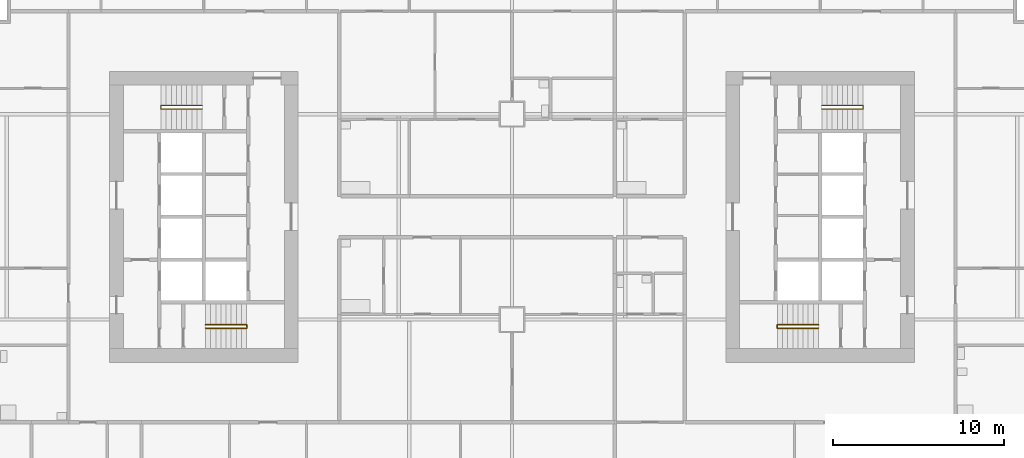
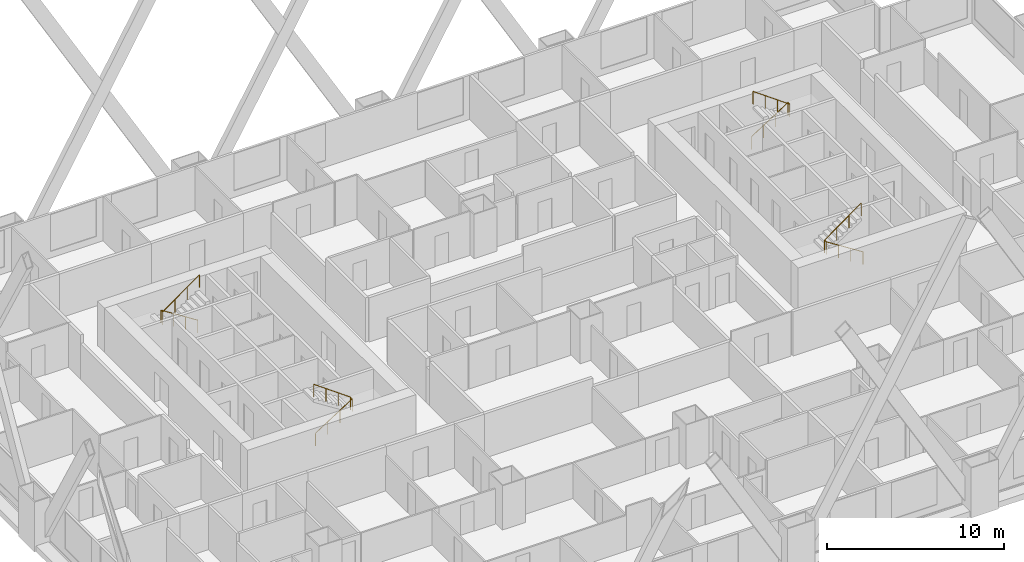
# One storey, part 12 of 13: 4 railings.
"""IFC4 building model written with IfcOpenShell, lengths in metres."""

import ifcopenshell
import ifcopenshell.guid

model = None  # the IFC model being written
_history = None  # IfcOwnerHistory: only IFC2X3 demands one
_inside = {}  # id of a spatial element -> (the spatial element, [elements in it])
_under = {}  # id of a project, library or spatial element -> (it, [spatial elements below it])
_declared = {}  # id of a project -> (the project, [libraries it declares])
_typed = {}  # id of a type object -> (the type object, [elements of that type])
_made_of = {}  # id of a material, layer set ... -> (it, [elements and type objects made of it])


def new_model(schema):
    """Start an empty IFC model of exactly this schema.

    Asked for "IFC4X3", IfcOpenShell would pick the latest addendum, in which some entities
    have other attributes; the version numbers below select the first issue.
    IFC2X3 requires an IfcOwnerHistory on every rooted entity: one is made here for all.
    """
    global model, _history
    if schema == "IFC4X3":
        model = ifcopenshell.file(schema_version=(4, 3, 0, 0))
    else:
        model = ifcopenshell.file(schema=schema)
    _inside.clear()
    _under.clear()
    _declared.clear()
    _typed.clear()
    _made_of.clear()
    _history = None
    if model.schema == "IFC2X3":
        org = make("IfcOrganization", Name="unknown")
        user = make(
            "IfcPersonAndOrganization",
            ThePerson=make("IfcPerson", FamilyName="unknown"),
            TheOrganization=org,
        )
        app = make(
            "IfcApplication",
            ApplicationDeveloper=org,
            Version="unknown",
            ApplicationFullName="unknown",
            ApplicationIdentifier="unknown",
        )
        _history = make(
            "IfcOwnerHistory",
            OwningUser=user,
            OwningApplication=app,
            ChangeAction="ADDED",
            CreationDate=0,
        )
    return model


def make(cls, **values):
    """One entity of the class cls with the attributes given. An attribute that is None is left unset."""
    return model.create_entity(
        cls, **{name: value for name, value in values.items() if value is not None}
    )


def rooted(cls, **values):
    """An entity with a GlobalId (a new one), such as an element, a storey or a relation."""
    return make(cls, GlobalId=ifcopenshell.guid.new(), OwnerHistory=_history, **values)


def si_unit(unit_type, name, prefix=None):
    """IfcSIUnit, for example si_unit("LENGTHUNIT", "METRE", prefix="MILLI")."""
    return make("IfcSIUnit", UnitType=unit_type, Prefix=prefix, Name=name)


def assignment(units):
    """IfcUnitAssignment: the units of a project."""
    return None if units is None else make("IfcUnitAssignment", Units=units)


def point(xyz):
    """IfcCartesianPoint."""
    return None if xyz is None else make("IfcCartesianPoint", Coordinates=xyz)


def direction(xyz):
    """IfcDirection."""
    return None if xyz is None else make("IfcDirection", DirectionRatios=xyz)


def frame(location, z_axis=None, x_axis=None):
    """IfcAxis2Placement3D, a coordinate frame: its origin and axes. An axis left out is left unset."""
    return make(
        "IfcAxis2Placement3D",
        Location=point(location),
        Axis=direction(z_axis),
        RefDirection=direction(x_axis),
    )


def frame_2d(location, x_axis=None):
    """IfcAxis2Placement2D, a coordinate frame in the plane: its origin and x axis."""
    return make(
        "IfcAxis2Placement2D", Location=point(location), RefDirection=direction(x_axis)
    )


def origin():
    """The frame at (0, 0, 0) with its axes left unset."""
    return frame((0.0, 0.0, 0.0))


def origin_2d():
    """The frame at (0, 0) in the plane with its x axis left unset."""
    return frame_2d((0.0, 0.0))


def place(relative_to, where):
    """IfcLocalPlacement: puts the frame where relative to a parent placement (None: the world)."""
    return make(
        "IfcLocalPlacement", PlacementRelTo=relative_to, RelativePlacement=where
    )


def context(
    kind, dimensions, precision=None, world=None, true_north=None, identifier=None
):
    """IfcGeometricRepresentationContext, for example the 3D "Model" context."""
    return make(
        "IfcGeometricRepresentationContext",
        ContextIdentifier=identifier,
        ContextType=kind,
        CoordinateSpaceDimension=dimensions,
        Precision=precision,
        WorldCoordinateSystem=world,
        TrueNorth=true_north,
    )


def subcontext(parent, identifier, kind, view, scale=None):
    """IfcGeometricRepresentationSubContext, for example "Body" below "Model"."""
    return make(
        "IfcGeometricRepresentationSubContext",
        ContextIdentifier=identifier,
        ContextType=kind,
        ParentContext=parent,
        TargetScale=scale,
        TargetView=view,
    )


def project(units=None, contexts=None):
    """IfcProject with its units and contexts."""
    return rooted(
        "IfcProject",
        Name="project",
        RepresentationContexts=contexts,
        UnitsInContext=assignment(units),
    )


def spatial(cls, under=None, at=None, **own):
    """A site, building, storey or space (cls), placed at a placement, below another one or the project."""
    s = rooted(cls, ObjectPlacement=at, **own)
    if under is not None:
        _under.setdefault(under.id(), (under, []))[1].append(s)
    return s


def profile(cls, at=None, kind="AREA", **sizes):
    """A parametric profile (cls). Its sizes go by their IFC names, for example OverallWidth=200.0."""
    return make(cls, ProfileType=kind, Position=at, **sizes)


def circle(**sizes):
    """IfcCircleProfileDef."""
    return profile("IfcCircleProfileDef", **sizes)


def extrude(swept, where, along, depth):
    """IfcExtrudedAreaSolid: the profile swept, set in the frame where, extruded along a direction by depth."""
    return make(
        "IfcExtrudedAreaSolid",
        SweptArea=swept,
        Position=where,
        ExtrudedDirection=direction(along),
        Depth=depth,
    )


def shape(context_of_items, identifier, shape_type, items):
    """IfcShapeRepresentation: the items that make up one representation, for example the "Body"."""
    return make(
        "IfcShapeRepresentation",
        ContextOfItems=context_of_items,
        RepresentationIdentifier=identifier,
        RepresentationType=shape_type,
        Items=items,
    )


def material(Name=None, Category=None):
    """IfcMaterial."""
    return make("IfcMaterial", Name=Name, Category=Category)


def made_of(thing, what):
    """Note that an element or type object is made of a material, layer set ...; save() writes the relation."""
    if what is not None:
        _made_of.setdefault(what.id(), (what, []))[1].append(thing)
    return thing


def type_object(cls, material=None, **own):
    """A type object (cls), such as IfcWallType, which elements share."""
    return made_of(rooted(cls, **own), material)


def element(
    cls,
    number,
    at=None,
    inside=None,
    cuts=None,
    type_object=None,
    material=None,
    context=None,
    identifier="Body",
    shape_type=None,
    held_by="IfcProductDefinitionShape",
    body=None,
    shapes=None,
    **own,
):
    """One element of the class cls, such as IfcWall. Its Tag is "e" and its number.

    at: its placement. inside: the storey or other place that contains it. cuts: it is an
    opening in that element (IfcRelVoidsElement). A single representation is given by context,
    identifier, shape_type and body (its items); several are given by shapes. held_by: the class
    of the entity that holds the representations. save() writes the other relations.
    """
    e = rooted(cls, Tag="e%d" % number, ObjectPlacement=at, **own)
    if body is not None:
        shapes = [shape(context, identifier, shape_type, body)]
    if shapes is not None:
        e.Representation = make(held_by, Representations=shapes)
    if inside is not None:
        _inside.setdefault(inside.id(), (inside, []))[1].append(e)
    if cuts is not None:
        rooted(
            "IfcRelVoidsElement", RelatingBuildingElement=cuts, RelatedOpeningElement=e
        )
    if type_object is not None:
        _typed.setdefault(type_object.id(), (type_object, []))[1].append(e)
    return made_of(e, material)


def aggregate(whole, parts):
    """IfcRelAggregates: a whole, such as a stair, and the parts it consists of."""
    return rooted("IfcRelAggregates", RelatingObject=whole, RelatedObjects=parts)


def save(model, path):
    """Write the relations noted so far, then the file.

    IfcRelAggregates (storeys below a building ...), IfcRelContainedInSpatialStructure (elements
    in a storey), IfcRelDefinesByType, IfcRelAssociatesMaterial and IfcRelDeclares: one each for
    every whole, place, type object, material and project.
    """
    for whole, parts in _under.values():
        aggregate(whole, parts)
    for where, things in _inside.values():
        rooted(
            "IfcRelContainedInSpatialStructure",
            RelatedElements=things,
            RelatingStructure=where,
        )
    for kind, things in _typed.values():
        rooted("IfcRelDefinesByType", RelatedObjects=things, RelatingType=kind)
    for what, things in _made_of.values():
        rooted("IfcRelAssociatesMaterial", RelatedObjects=things, RelatingMaterial=what)
    for by, libraries in _declared.values():
        rooted("IfcRelDeclares", RelatingContext=by, RelatedDefinitions=libraries)
    model.write(path)


model = new_model("IFC4")

# Units and contexts
model_context = context("Model", 3, precision=1e-05, world=origin(), true_north=direction((0.0, 1.0)))
body_context = subcontext(model_context, "Body", "Model", "MODEL_VIEW")
ifc_project = project(units=[si_unit("LENGTHUNIT", "METRE"), si_unit("AREAUNIT", "SQUARE_METRE"), si_unit("VOLUMEUNIT", "CUBIC_METRE"), si_unit("PLANEANGLEUNIT", "RADIAN"), si_unit("MASSUNIT", "GRAM", prefix="KILO")], contexts=[model_context])

# Site, building, storey
site_placement = place(None, origin())
site = spatial("IfcSite", under=ifc_project, at=site_placement, CompositionType="ELEMENT")
building_placement = place(site_placement, origin())
building = spatial("IfcBuilding", under=site, at=building_placement, Name="Kitamizu Gate Tower and Museum", CompositionType="ELEMENT")
storey_placement = place(building_placement, frame((0.0, 0.0, 50.699951171875)))
storey = spatial("IfcBuildingStorey", under=building, at=storey_placement, Name="L11", CompositionType="ELEMENT", Elevation=50.699951171875)

# Railings
ifc_material = material(Name="Stainless steel SUS304", Category="steel")
railing_type = type_object("IfcRailingType", Name="Stair handrail 900", PredefinedType="HANDRAIL", material=ifc_material)
railing_1_placement = place(storey_placement, frame((18.10009765625, 23.5, 0.191650390625)))
element("IfcRailing", 1, at=railing_1_placement, inside=storey, type_object=railing_type, Name="Stair handrail ST1", PredefinedType="HANDRAIL", context=body_context, shape_type="SweptSolid", body=[
    extrude(circle(Radius=0.02392578125, at=origin_2d()), frame((0.0, 0.0, 0.8759765625), z_axis=(0.842668169335, 0.0, 0.538433242278), x_axis=(0.0, 1.0, 0.0)), (0.0, 0.0, 1.0), 2.847900390625),
    extrude(circle(Radius=0.02392578125, at=origin_2d()), frame((2.39990234375, 0.0, 2.4091796875), z_axis=(0.0, 1.0, 0.0), x_axis=(-1.0, 0.0, 0.0)), (0.0, 0.0, 1.0), 0.199951171875),
    extrude(circle(Radius=0.02392578125, at=origin_2d()), frame((2.39990234375, 0.199951171875, 2.4091796875), z_axis=(-0.81202760531, 0.0, 0.583619026604), x_axis=(0.0, -1.0, 0.0)), (0.0, 0.0, 1.0), 2.955322265625),
    extrude(circle(Radius=0.02099609375, at=origin_2d()), origin(), (0.0, 0.0, 1.0), 0.851806640625),
    extrude(circle(Radius=0.02099609375, at=origin_2d()), frame((0.800048828125, 0.0, 0.51123046875)), (0.0, 0.0, 1.0), 0.851806640625),
    extrude(circle(Radius=0.02099609375, at=origin_2d()), frame((1.599853515625, 0.0, 1.022216796875)), (0.0, 0.0, 1.0), 0.851806640625),
    extrude(circle(Radius=0.02099609375, at=origin_2d()), frame((2.39990234375, 0.0, 1.533447265625)), (0.0, 0.0, 1.0), 0.851806640625),
    extrude(circle(Radius=0.02099609375, at=origin_2d()), frame((2.39990234375, 0.199951171875, 1.533447265625)), (0.0, 0.0, 1.0), 0.851806640625),
    extrude(circle(Radius=0.02099609375, at=origin_2d()), frame((1.599853515625, 0.199951171875, 2.1083984375)), (0.0, 0.0, 1.0), 0.851806640625),
    extrude(circle(Radius=0.02099609375, at=origin_2d()), frame((0.800048828125, 0.199951171875, 2.683349609375)), (0.0, 0.0, 1.0), 0.851806640625),
    extrude(circle(Radius=0.02099609375, at=origin_2d()), frame((0.0, 0.199951171875, 3.25830078125)), (0.0, 0.0, 1.0), 0.851806640625),
])
railing_2_placement = place(storey_placement, frame((17.89990234375, 36.5, 0.191650390625)))
element("IfcRailing", 2, at=railing_2_placement, inside=storey, type_object=railing_type, Name="Stair handrail ST2", PredefinedType="HANDRAIL", context=body_context, shape_type="SweptSolid", body=[
    extrude(circle(Radius=0.02392578125, at=origin_2d()), frame((0.0, 0.0, 0.8759765625), z_axis=(-0.842668169335, 0.0, 0.538433242278), x_axis=(0.0, -1.0, 0.0)), (0.0, 0.0, 1.0), 2.847900390625),
    extrude(circle(Radius=0.02392578125, at=origin_2d()), frame((-2.39990234375, 0.0, 2.4091796875), z_axis=(0.0, -1.0, 0.0), x_axis=(1.0, 0.0, 0.0)), (0.0, 0.0, 1.0), 0.199951171875),
    extrude(circle(Radius=0.02392578125, at=origin_2d()), frame((-2.39990234375, -0.199951171875, 2.4091796875), z_axis=(0.81202760531, 0.0, 0.583619026604), x_axis=(0.0, 1.0, 0.0)), (0.0, 0.0, 1.0), 2.955322265625),
    extrude(circle(Radius=0.02099609375, at=origin_2d()), origin(), (0.0, 0.0, 1.0), 0.851806640625),
    extrude(circle(Radius=0.02099609375, at=origin_2d()), frame((-0.800048828125, 0.0, 0.51123046875)), (0.0, 0.0, 1.0), 0.851806640625),
    extrude(circle(Radius=0.02099609375, at=origin_2d()), frame((-1.599853515625, 0.0, 1.022216796875)), (0.0, 0.0, 1.0), 0.851806640625),
    extrude(circle(Radius=0.02099609375, at=origin_2d()), frame((-2.39990234375, 0.0, 1.533447265625)), (0.0, 0.0, 1.0), 0.851806640625),
    extrude(circle(Radius=0.02099609375, at=origin_2d()), frame((-2.39990234375, -0.199951171875, 1.533447265625)), (0.0, 0.0, 1.0), 0.851806640625),
    extrude(circle(Radius=0.02099609375, at=origin_2d()), frame((-1.599853515625, -0.199951171875, 2.1083984375)), (0.0, 0.0, 1.0), 0.851806640625),
    extrude(circle(Radius=0.02099609375, at=origin_2d()), frame((-0.800048828125, -0.199951171875, 2.683349609375)), (0.0, 0.0, 1.0), 0.851806640625),
    extrude(circle(Radius=0.02099609375, at=origin_2d()), frame((0.0, -0.199951171875, 3.25830078125)), (0.0, 0.0, 1.0), 0.851806640625),
])
railing_3_placement = place(storey_placement, frame((53.89990234375, 23.5, 0.191650390625)))
element("IfcRailing", 3, at=railing_3_placement, inside=storey, type_object=railing_type, Name="Stair handrail ST3", PredefinedType="HANDRAIL", context=body_context, shape_type="SweptSolid", body=[
    extrude(circle(Radius=0.02392578125, at=origin_2d()), frame((0.0, 0.0, 0.8759765625), z_axis=(-0.842668169335, 0.0, 0.538433242278), x_axis=(0.0, -1.0, 0.0)), (0.0, 0.0, 1.0), 2.847900390625),
    extrude(circle(Radius=0.02392578125, at=origin_2d()), frame((-2.39990234375, 0.0, 2.4091796875), z_axis=(0.0, 1.0, 0.0), x_axis=(-1.0, 0.0, 0.0)), (0.0, 0.0, 1.0), 0.199951171875),
    extrude(circle(Radius=0.02392578125, at=origin_2d()), frame((-2.39990234375, 0.199951171875, 2.4091796875), z_axis=(0.81202760531, 0.0, 0.583619026604), x_axis=(0.0, 1.0, 0.0)), (0.0, 0.0, 1.0), 2.955322265625),
    extrude(circle(Radius=0.02099609375, at=origin_2d()), origin(), (0.0, 0.0, 1.0), 0.851806640625),
    extrude(circle(Radius=0.02099609375, at=origin_2d()), frame((-0.800048828125, 0.0, 0.51123046875)), (0.0, 0.0, 1.0), 0.851806640625),
    extrude(circle(Radius=0.02099609375, at=origin_2d()), frame((-1.599853515625, 0.0, 1.022216796875)), (0.0, 0.0, 1.0), 0.851806640625),
    extrude(circle(Radius=0.02099609375, at=origin_2d()), frame((-2.39990234375, 0.0, 1.533447265625)), (0.0, 0.0, 1.0), 0.851806640625),
    extrude(circle(Radius=0.02099609375, at=origin_2d()), frame((-2.39990234375, 0.199951171875, 1.533447265625)), (0.0, 0.0, 1.0), 0.851806640625),
    extrude(circle(Radius=0.02099609375, at=origin_2d()), frame((-1.599853515625, 0.199951171875, 2.1083984375)), (0.0, 0.0, 1.0), 0.851806640625),
    extrude(circle(Radius=0.02099609375, at=origin_2d()), frame((-0.800048828125, 0.199951171875, 2.683349609375)), (0.0, 0.0, 1.0), 0.851806640625),
    extrude(circle(Radius=0.02099609375, at=origin_2d()), frame((0.0, 0.199951171875, 3.25830078125)), (0.0, 0.0, 1.0), 0.851806640625),
])
railing_4_placement = place(storey_placement, frame((54.10009765625, 36.5, 0.191650390625)))
element("IfcRailing", 4, at=railing_4_placement, inside=storey, type_object=railing_type, Name="Stair handrail ST4", PredefinedType="HANDRAIL", context=body_context, shape_type="SweptSolid", body=[
    extrude(circle(Radius=0.02392578125, at=origin_2d()), frame((0.0, 0.0, 0.8759765625), z_axis=(0.842668169335, 0.0, 0.538433242278), x_axis=(0.0, 1.0, 0.0)), (0.0, 0.0, 1.0), 2.847900390625),
    extrude(circle(Radius=0.02392578125, at=origin_2d()), frame((2.39990234375, 0.0, 2.4091796875), z_axis=(0.0, -1.0, 0.0), x_axis=(1.0, 0.0, 0.0)), (0.0, 0.0, 1.0), 0.199951171875),
    extrude(circle(Radius=0.02392578125, at=origin_2d()), frame((2.39990234375, -0.199951171875, 2.4091796875), z_axis=(-0.81202760531, 0.0, 0.583619026604), x_axis=(0.0, -1.0, 0.0)), (0.0, 0.0, 1.0), 2.955322265625),
    extrude(circle(Radius=0.02099609375, at=origin_2d()), origin(), (0.0, 0.0, 1.0), 0.851806640625),
    extrude(circle(Radius=0.02099609375, at=origin_2d()), frame((0.800048828125, 0.0, 0.51123046875)), (0.0, 0.0, 1.0), 0.851806640625),
    extrude(circle(Radius=0.02099609375, at=origin_2d()), frame((1.599853515625, 0.0, 1.022216796875)), (0.0, 0.0, 1.0), 0.851806640625),
    extrude(circle(Radius=0.02099609375, at=origin_2d()), frame((2.39990234375, 0.0, 1.533447265625)), (0.0, 0.0, 1.0), 0.851806640625),
    extrude(circle(Radius=0.02099609375, at=origin_2d()), frame((2.39990234375, -0.199951171875, 1.533447265625)), (0.0, 0.0, 1.0), 0.851806640625),
    extrude(circle(Radius=0.02099609375, at=origin_2d()), frame((1.599853515625, -0.199951171875, 2.1083984375)), (0.0, 0.0, 1.0), 0.851806640625),
    extrude(circle(Radius=0.02099609375, at=origin_2d()), frame((0.800048828125, -0.199951171875, 2.683349609375)), (0.0, 0.0, 1.0), 0.851806640625),
    extrude(circle(Radius=0.02099609375, at=origin_2d()), frame((0.0, -0.199951171875, 3.25830078125)), (0.0, 0.0, 1.0), 0.851806640625),
])

save(model, "model.ifc")
